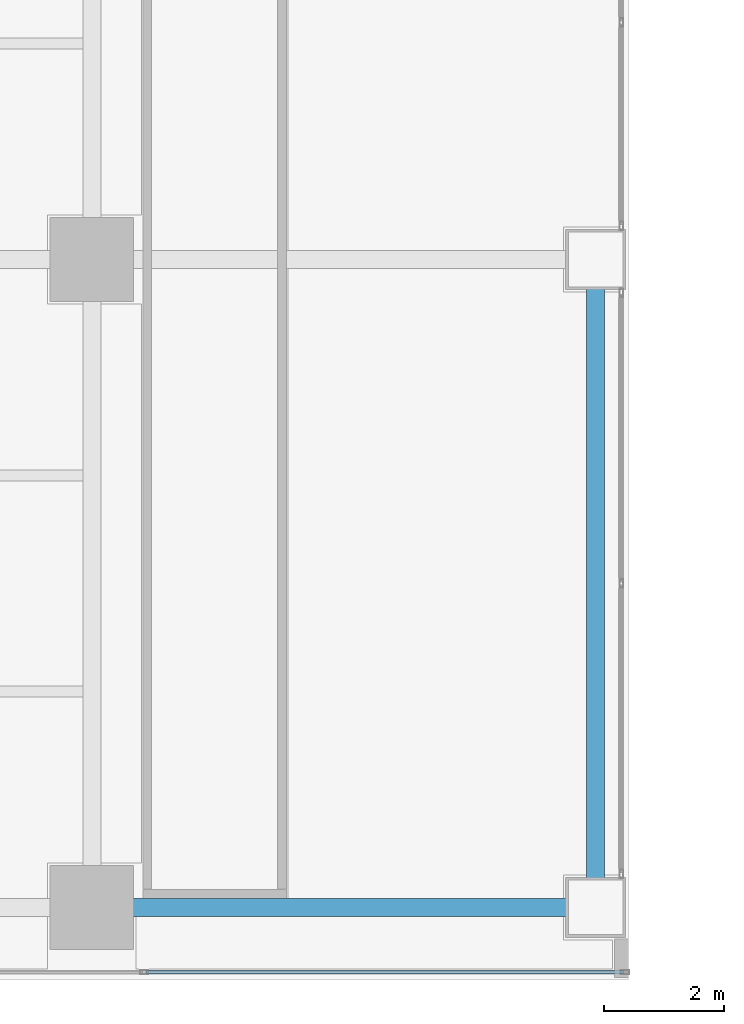
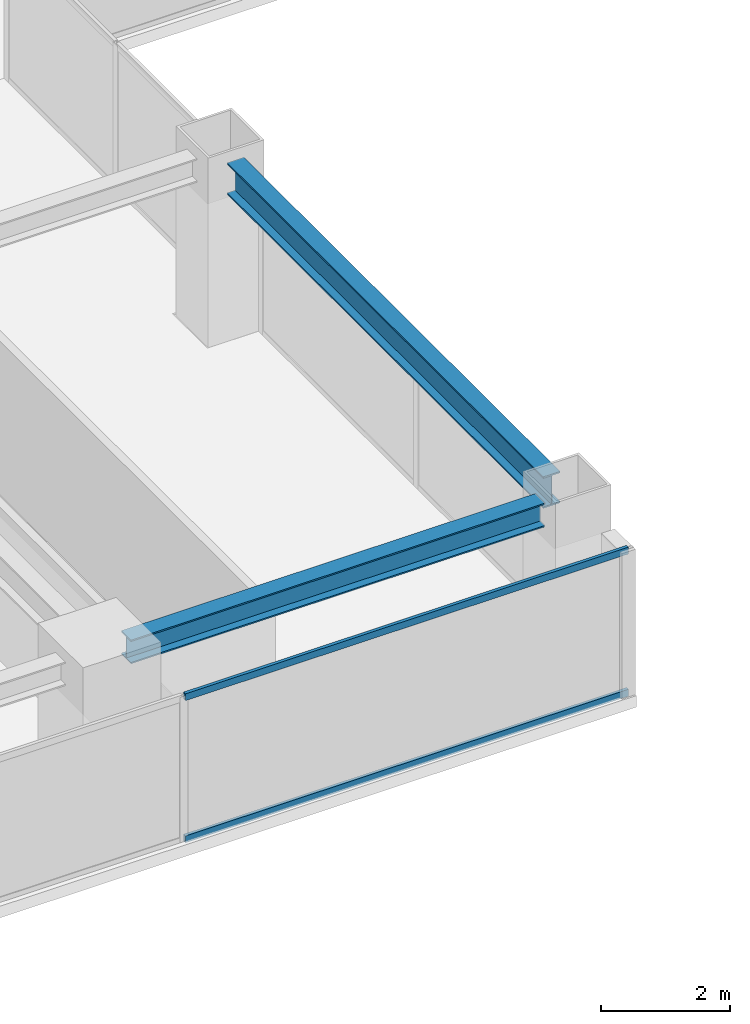
# One storey, part 3 of 28: 2 beams, 2 members, 1 element without a shape of its own.
"""IFC4 building model written with IfcOpenShell, lengths in metres."""

from ifc_helpers import new_model, si_unit, direction, frame, origin, origin_2d, place, context, subcontext, project, spatial, hollow_rectangle, i_section, extrude, source, transform, mapped, material, layer, layer_set, material_profile, profile_set, type_object, element, aggregate, save


model = new_model("IFC4")

# Units and contexts
model_context = context("Model", 3, precision=1e-05, world=origin(), true_north=direction((0.0, 1.0)))
body_context = subcontext(model_context, "Body", "Model", "MODEL_VIEW")
ifc_project = project(units=[si_unit("LENGTHUNIT", "METRE"), si_unit("AREAUNIT", "SQUARE_METRE"), si_unit("VOLUMEUNIT", "CUBIC_METRE"), si_unit("PLANEANGLEUNIT", "RADIAN"), si_unit("MASSUNIT", "GRAM", prefix="KILO")], contexts=[model_context])

# Site, building, storey
site_placement = place(None, origin())
site = spatial("IfcSite", under=ifc_project, at=site_placement, CompositionType="ELEMENT")
building_placement = place(site_placement, origin())
building = spatial("IfcBuilding", under=site, at=building_placement, Name="Sumidabori Civic Tower", CompositionType="ELEMENT")
storey_placement = place(building_placement, frame((0.0, 0.0, 210.800048828125)))
storey = spatial("IfcBuildingStorey", under=building, at=storey_placement, Name="L54", CompositionType="ELEMENT", Elevation=210.800048828125)

# Beams
ifc_material_1 = material(Name="Steel SN490", Category="steel")
ifc_material_profile_1 = material_profile(ifc_material_1, i_section(OverallWidth=0.300048828125, OverallDepth=0.60009765625, WebThickness=0.015380859375, FlangeThickness=0.030029296875, at=origin_2d()), Name="HE 600 B")
ifc_profile_set_1 = profile_set([ifc_material_profile_1], Name="Steel SN490")
beam_type_1 = type_object("IfcBeamType", Name="BM-GIRD-600", PredefinedType="BEAM", material=ifc_profile_set_1)
shared_shape_1 = source(origin(), body_context, "Body", "SweptSolid", [
    extrude(i_section(OverallWidth=0.300048828125, OverallDepth=0.60009765625, WebThickness=0.015380859375, FlangeThickness=0.030029296875, at=origin_2d()), origin(), (0.0, 0.0, 1.0), 9.840087890625),
])
beam_1_placement = place(storey_placement, frame((-8.39990234375, -10.320068359375, 3.079833984375), z_axis=(0.0, 1.0, 0.0), x_axis=(-1.0, 0.0, 0.0)))
element("IfcBeam", 1, at=beam_1_placement, inside=storey, type_object=beam_type_1, Name="Primary Girder L54 GY-17", PredefinedType="BEAM", context=body_context, shape_type="MappedRepresentation", body=[
    mapped(shared_shape_1, transform((0.0, 0.0, 0.0), x_axis=(1.0, 0.0, 0.0), y_axis=(0.0, 1.0, 0.0), z_axis=(0.0, 0.0, 1.0), scale=1.0)),
])
ifc_material_profile_2 = material_profile(ifc_material_1, i_section(OverallWidth=0.300048828125, OverallDepth=0.449951171875, WebThickness=0.013916015625, FlangeThickness=0.02587890625, at=origin_2d()), Name="HE 450 B")
ifc_profile_set_2 = profile_set([ifc_material_profile_2], Name="Steel SN490")
beam_type_2 = type_object("IfcBeamType", Name="BM-GIRD-450", PredefinedType="BEAM", material=ifc_profile_set_2)
shared_shape_2 = source(origin(), body_context, "Body", "SweptSolid", [
    extrude(i_section(OverallWidth=0.300048828125, OverallDepth=0.449951171875, WebThickness=0.013916015625, FlangeThickness=0.02587890625, at=origin_2d()), origin(), (0.0, 0.0, 1.0), 7.440185546875),
])
beam_2_placement = place(storey_placement, frame((-16.320068359375, -10.800048828125, 3.155029296875), z_axis=(1.0, 0.0, 0.0), x_axis=(0.0, 1.0, 0.0)))
element("IfcBeam", 2, at=beam_2_placement, inside=storey, type_object=beam_type_2, Name="Primary Girder L54 GX-02", PredefinedType="BEAM", context=body_context, shape_type="MappedRepresentation", body=[
    mapped(shared_shape_2, transform((0.0, 0.0, 0.0), x_axis=(1.0, 0.0, 0.0), y_axis=(0.0, 1.0, 0.0), z_axis=(0.0, 0.0, 1.0), scale=1.0)),
])

# Curtain wall, members
ifc_material_2 = material(Name="Anodised Bronze Aluminium AW-6063-T6", Category="aluminium")
ifc_layer = layer(ifc_material_2, 0.179931640625, Name="Anodised Bronze Aluminium AW-6063-T6")
ifc_layer_set = layer_set([ifc_layer], Name="Anodised Bronze Aluminium AW-6063-T6")
curtain_wall_type = type_object("IfcCurtainWallType", Name="CW-SYS-5", PredefinedType="NOTDEFINED", material=ifc_layer_set)
curtain_wall_placement = place(storey_placement, origin())
curtain_wall = element("IfcCurtainWall", 3, at=curtain_wall_placement, inside=storey, type_object=curtain_wall_type, Name="Curtain Wall CW:L54:R01", PredefinedType="NOTDEFINED")
ifc_material_profile_3 = material_profile(ifc_material_2, hollow_rectangle(XDim=0.06005859375, YDim=0.1298828125, WallThickness=0.0048828125, at=origin_2d()), Name="ALU TRANSOM 130x60")
ifc_profile_set_3 = profile_set([ifc_material_profile_3], Name="Anodised Bronze Aluminium AW-6063-T6")
member_type = type_object("IfcMemberType", Name="CW-TRN-130", PredefinedType="USERDEFINED", material=ifc_profile_set_3)
shared_shape_3 = source(origin(), body_context, "Body", "SweptSolid", [
    extrude(hollow_rectangle(XDim=0.06005859375, YDim=0.1298828125, WallThickness=0.0048828125, at=origin_2d()), origin(), (0.0, 0.0, 1.0), 7.955078125),
])
member_1_placement = place(storey_placement, frame((-15.89501953125, -11.8798828125, 0.030029296875), z_axis=(1.0, 0.0, 0.0), x_axis=(0.0, 1.0, 0.0)))
member_1 = element("IfcMember", 4, at=member_1_placement, type_object=member_type, Name="CW-5 transom 2.1", ObjectType="TRANSOM", PredefinedType="USERDEFINED", context=body_context, shape_type="MappedRepresentation", body=[
    mapped(shared_shape_3, transform((0.0, 0.0, 0.0), x_axis=(1.0, 0.0, 0.0), y_axis=(0.0, 1.0, 0.0), z_axis=(0.0, 0.0, 1.0), scale=1.0)),
])
member_2_placement = place(storey_placement, frame((-15.89501953125, -11.8798828125, 2.72998046875), z_axis=(1.0, 0.0, 0.0), x_axis=(0.0, 1.0, 0.0)))
member_2 = element("IfcMember", 5, at=member_2_placement, type_object=member_type, Name="CW-5 transom 2.2", ObjectType="TRANSOM", PredefinedType="USERDEFINED", context=body_context, shape_type="MappedRepresentation", body=[
    mapped(shared_shape_3, transform((0.0, 0.0, 0.0), x_axis=(1.0, 0.0, 0.0), y_axis=(0.0, 1.0, 0.0), z_axis=(0.0, 0.0, 1.0), scale=1.0)),
])
aggregate(curtain_wall, [member_1, member_2])

save(model, "model.ifc")
